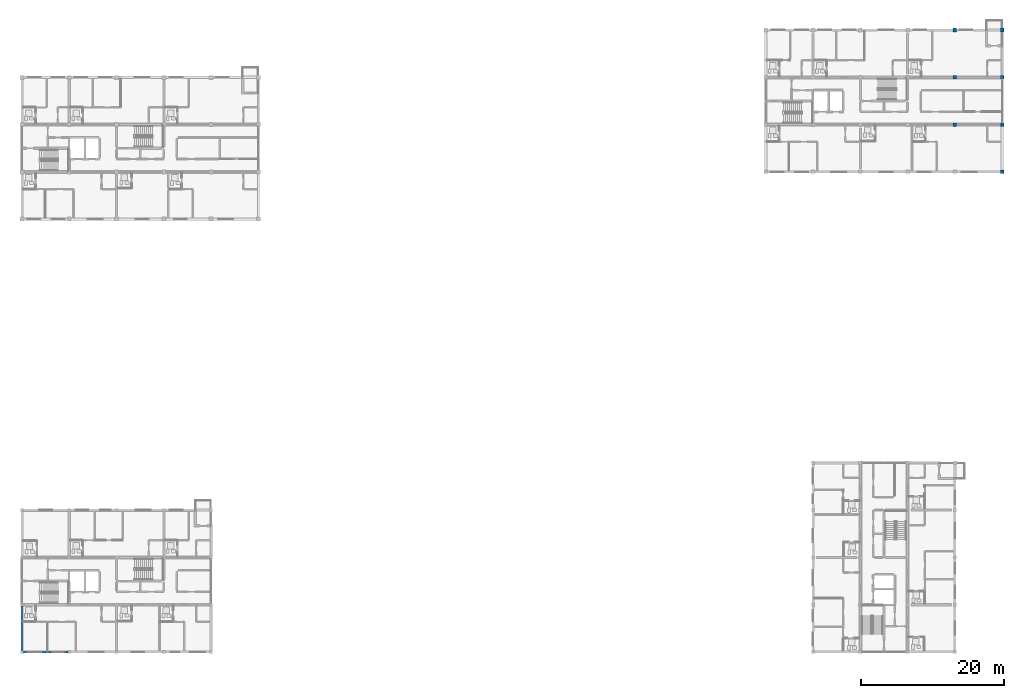
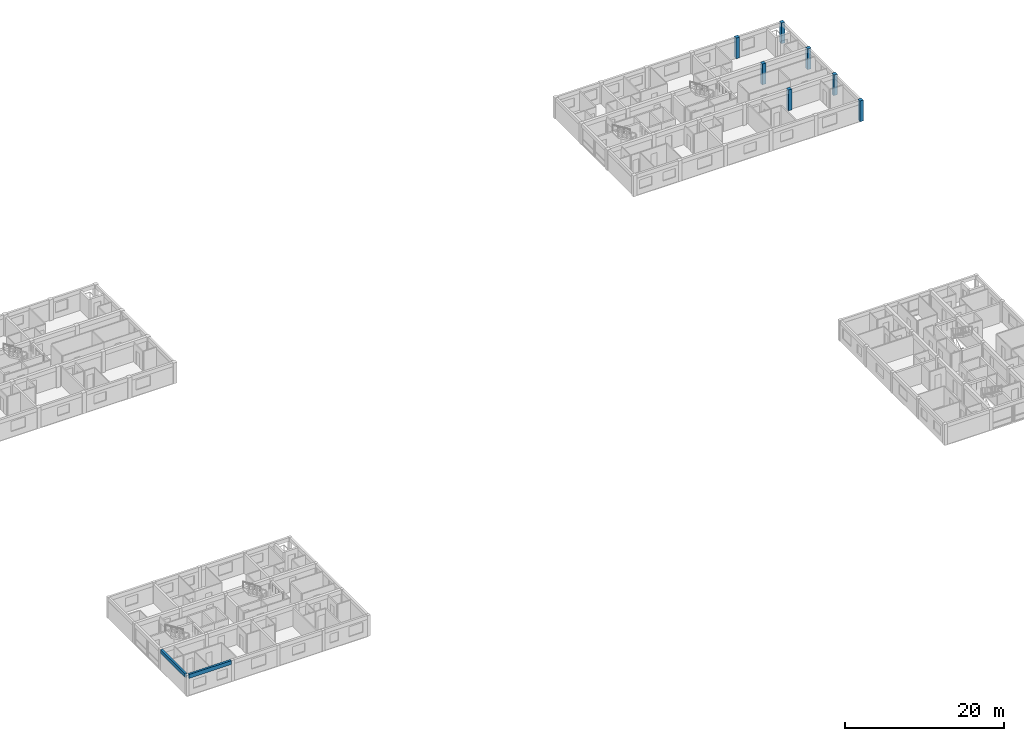
# One storey, part 3 of 45: 7 columns, 2 beams.
"""IFC4 building model written with IfcOpenShell, lengths in metres."""

from ifc_helpers import new_model, si_unit, direction, frame, origin, origin_2d, place, context, subcontext, project, spatial, rectangle, extrude, material, material_profile, profile_set, type_object, element, save


model = new_model("IFC4")

# Units and contexts
model_context = context("Model", 3, precision=1e-05, world=origin(), true_north=direction((0.0, 1.0)))
body_context = subcontext(model_context, "Body", "Model", "MODEL_VIEW")
ifc_project = project(units=[si_unit("LENGTHUNIT", "METRE"), si_unit("AREAUNIT", "SQUARE_METRE"), si_unit("VOLUMEUNIT", "CUBIC_METRE"), si_unit("PLANEANGLEUNIT", "RADIAN"), si_unit("MASSUNIT", "GRAM", prefix="KILO")], contexts=[model_context])

# Site, building, storey
site_placement = place(None, origin())
site = spatial("IfcSite", under=ifc_project, at=site_placement, CompositionType="ELEMENT")
building_placement = place(site_placement, origin())
building = spatial("IfcBuilding", under=site, at=building_placement, Name="Kernevlak Ridge Housing Community", CompositionType="ELEMENT")
storey_placement = place(building_placement, frame((0.0, 0.0, 21.199951171875)))
storey = spatial("IfcBuildingStorey", under=building, at=storey_placement, Name="L06", CompositionType="ELEMENT", Elevation=21.199951171875)

# Columns
ifc_material_1 = material(Name="Concrete C40/50", Category="concrete")
ifc_material_profile_1 = material_profile(ifc_material_1, rectangle(XDim=0.5, YDim=0.5, at=origin_2d()), Name="RC 500x500")
ifc_profile_set_1 = profile_set([ifc_material_profile_1], Name="Concrete C40/50")
column_type = type_object("IfcColumnType", Name="C-03", PredefinedType="COLUMN", material=ifc_profile_set_1)
for number, where, z_axis, x_axis, name in (
    (1, (145.800048828125, 89.199951171875, 0.0), (0.0, 0.0, 1.0), (1.0, 0.0, 0.0), "Column C-03 COL-B-L06-04-1"),
    (2, (145.800048828125, 95.800048828125, 0.0), (0.0, 0.0, 1.0), (1.0, 0.0, 0.0), "Column C-03 COL-B-L06-04-2"),
    (3, (145.800048828125, 102.39990234375, 0.0), (0.0, 0.0, 1.0), (1.0, 0.0, 0.0), "Column C-03 COL-B-L06-04-3"),
    (4, (152.39990234375, 82.60009765625, 0.0), (0.0, 0.0, 1.0), (1.0, 0.0, 0.0), "Column C-03 COL-B-L06-05-0"),
    (5, (152.39990234375, 89.199951171875, 0.0), (0.0, 0.0, 1.0), (1.0, 0.0, 0.0), "Column C-03 COL-B-L06-05-1"),
    (6, (152.39990234375, 95.800048828125, 0.0), (0.0, 0.0, 1.0), (1.0, 0.0, 0.0), "Column C-03 COL-B-L06-05-2"),
    (7, (152.39990234375, 102.39990234375, 0.0), (0.0, 0.0, 1.0), (1.0, 0.0, 0.0), "Column C-03 COL-B-L06-05-3"),
):
    element("IfcColumn", number, at=place(storey_placement, frame(where, z_axis=z_axis, x_axis=x_axis)), inside=storey, type_object=column_type, Name=name, PredefinedType="COLUMN", context=body_context, shape_type="SweptSolid", body=[
        extrude(rectangle(XDim=0.5, YDim=0.5, at=origin_2d()), origin(), (0.0, 0.0, 1.0), 3.199951171875),
    ])

# Beams
ifc_material_2 = material(Name="Concrete C35/45", Category="concrete")
ifc_material_profile_2 = material_profile(ifc_material_2, rectangle(XDim=0.300048828125, YDim=0.550048828125, at=origin_2d()), Name="RC 300x550")
ifc_profile_set_2 = profile_set([ifc_material_profile_2], Name="Concrete C35/45")
beam_type_1 = type_object("IfcBeamType", Name="SP-01", PredefinedType="SPANDREL", material=ifc_profile_set_2)
beam_1_placement = place(storey_placement, frame((15.60009765625, 15.800048828125, 2.925048828125), z_axis=(0.0, 1.0, 0.0), x_axis=(-1.0, 0.0, 0.0)))
element("IfcBeam", 8, at=beam_1_placement, inside=storey, type_object=beam_type_1, Name="Beam SP-01 L06 1470", PredefinedType="SPANDREL", context=body_context, shape_type="SweptSolid", body=[
    extrude(rectangle(XDim=0.300048828125, YDim=0.550048828125, at=origin_2d()), origin(), (0.0, 0.0, 1.0), 6.199951171875),
])
ifc_material_profile_3 = material_profile(ifc_material_2, rectangle(XDim=0.300048828125, YDim=0.60009765625, at=origin_2d()), Name="RC 300x600")
ifc_profile_set_3 = profile_set([ifc_material_profile_3], Name="Concrete C35/45")
beam_type_2 = type_object("IfcBeamType", Name="SP-02", PredefinedType="SPANDREL", material=ifc_profile_set_3)
beam_2_placement = place(storey_placement, frame((15.800048828125, 15.60009765625, 2.900146484375), z_axis=(1.0, 0.0, 0.0), x_axis=(0.0, 1.0, 0.0)))
element("IfcBeam", 9, at=beam_2_placement, inside=storey, type_object=beam_type_2, Name="Beam SP-02 L06 1454", PredefinedType="SPANDREL", context=body_context, shape_type="SweptSolid", body=[
    extrude(rectangle(XDim=0.300048828125, YDim=0.60009765625, at=origin_2d()), origin(), (0.0, 0.0, 1.0), 6.199951171875),
])

save(model, "model.ifc")
